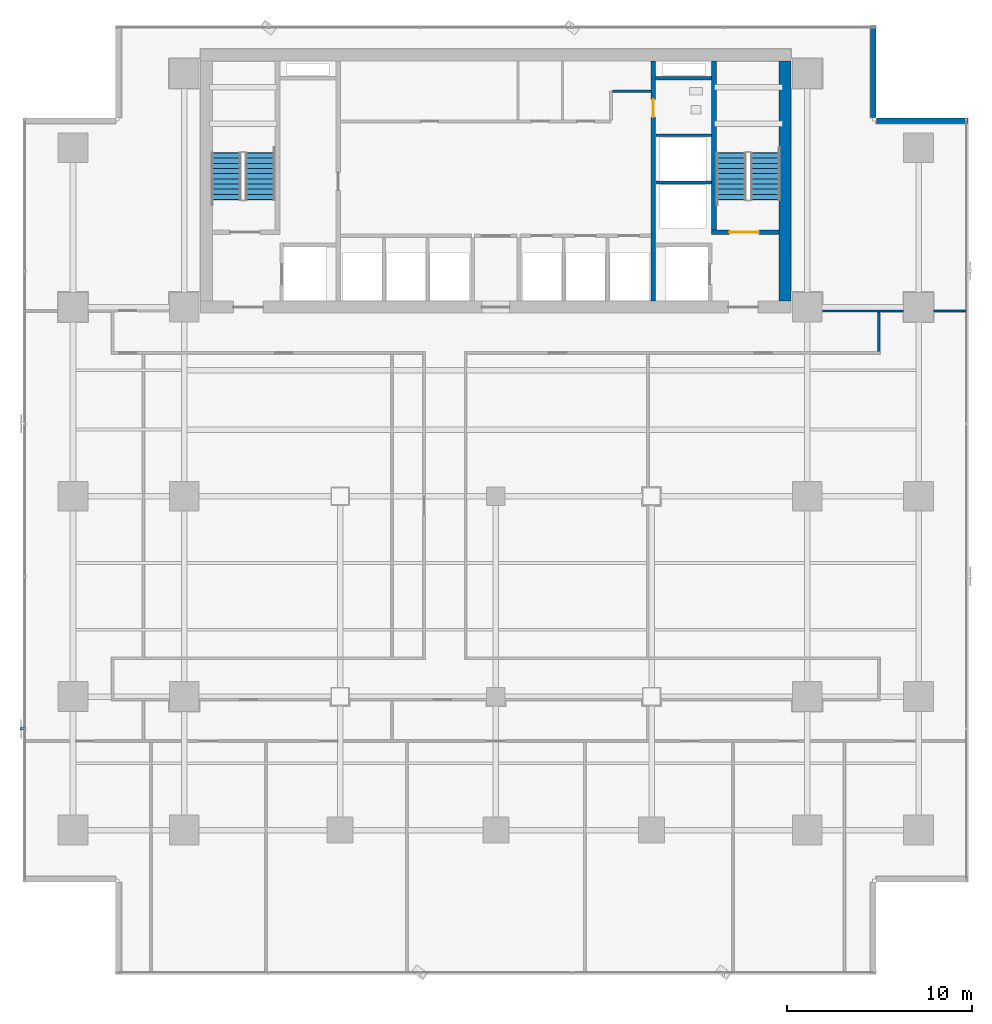
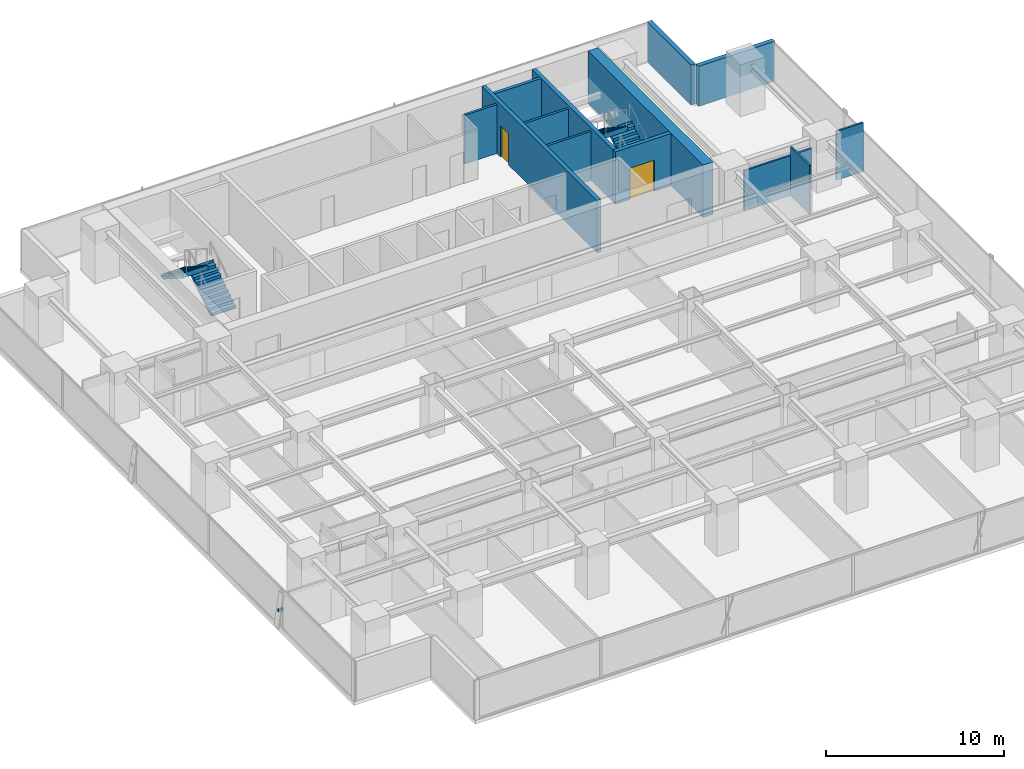
# One storey, part 30 of 37: 13 walls, 4 stair flights, 2 doors, 1 discrete accessory, 2 openings, 2 elements without a shape of their own.
"""IFC4 building model written with IfcOpenShell, lengths in metres."""

from ifc_helpers import new_model, si_unit, direction, frame, frame_2d, origin, origin_2d, place, context, subcontext, project, spatial, polyline, rectangle, outline, extrude, source, transform, mapped, material, layer, layer_set, material_profile, profile_set, type_object, element, fill, aggregate, save


model = new_model("IFC4")

# Units and contexts
model_context = context("Model", 3, precision=1e-05, world=origin(), true_north=direction((0.0, 1.0)))
body_context = subcontext(model_context, "Body", "Model", "MODEL_VIEW")
ifc_project = project(units=[si_unit("LENGTHUNIT", "METRE"), si_unit("AREAUNIT", "SQUARE_METRE"), si_unit("VOLUMEUNIT", "CUBIC_METRE"), si_unit("PLANEANGLEUNIT", "RADIAN"), si_unit("MASSUNIT", "GRAM", prefix="KILO")], contexts=[model_context])

# Site, building, storey
site_placement = place(None, origin())
site = spatial("IfcSite", under=ifc_project, at=site_placement, CompositionType="ELEMENT")
building_placement = place(site_placement, origin())
building = spatial("IfcBuilding", under=site, at=building_placement, Name="Sumidabori Civic Tower", CompositionType="ELEMENT")
storey_placement = place(building_placement, frame((0.0, 0.0, 81.199951171875)))
storey = spatial("IfcBuildingStorey", under=building, at=storey_placement, Name="L20", CompositionType="ELEMENT", Elevation=81.199951171875)

# Walls
ifc_material_1 = material(Name="Concrete C50/60", Category="concrete")
ifc_layer_1 = layer(ifc_material_1, 0.199951171875, Name="Concrete C50/60")
ifc_layer_set_1 = layer_set([ifc_layer_1], Name="Concrete C50/60")
wall_type_1 = type_object("IfcWallType", Name="WL-SHAFT-200", PredefinedType="SHEAR", material=ifc_layer_set_1)
shared_shape_1 = source(origin(), body_context, "Body", "SweptSolid", [
    extrude(rectangle(XDim=3.02001953125, YDim=0.199951171875, at=frame_2d((1.510009765625, 0.0))), origin(), (0.0, 0.0, 1.0), 3.60009765625),
])
wall_1_placement = place(storey_placement, frame((8.625, 22.550048828125, 0.0), z_axis=(0.0, 0.0, 1.0), x_axis=(1.0, 0.0, 0.0)))
element("IfcWall", 1, at=wall_1_placement, inside=storey, type_object=wall_type_1, Name="Core Shear Wall L20 RIS2-S", PredefinedType="SHEAR", context=body_context, shape_type="MappedRepresentation", body=[
    mapped(shared_shape_1, transform((0.0, 0.0, 0.0), x_axis=(1.0, 0.0, 0.0), y_axis=(0.0, 1.0, 0.0), z_axis=(0.0, 0.0, 1.0), scale=1.0)),
])
ifc_material_2 = material(Name="Concrete C60/75", Category="concrete")
ifc_layer_2 = layer(ifc_material_2, 0.64990234375, Name="Concrete C60/75")
ifc_layer_set_2 = layer_set([ifc_layer_2], Name="Concrete C60/75")
wall_type_2 = type_object("IfcWallType", Name="WL-CORE-650", PredefinedType="SHEAR", material=ifc_layer_set_2)
shared_shape_2 = source(origin(), body_context, "Body", "SweptSolid", [
    extrude(rectangle(XDim=12.9501953125, YDim=0.64990234375, at=frame_2d((6.47509765625, 0.0))), origin(), (0.0, 0.0, 1.0), 3.60009765625),
])
wall_2_placement = place(storey_placement, frame((15.60009765625, 10.52490234375, 0.0), z_axis=(0.0, 0.0, 1.0), x_axis=(0.0, 1.0, 0.0)))
element("IfcWall", 2, at=wall_2_placement, inside=storey, type_object=wall_type_2, Name="Core Shear Wall L20 E", PredefinedType="SHEAR", context=body_context, shape_type="MappedRepresentation", body=[
    mapped(shared_shape_2, transform((0.0, 0.0, 0.0), x_axis=(1.0, 0.0, 0.0), y_axis=(0.0, 1.0, 0.0), z_axis=(0.0, 0.0, 1.0), scale=1.0)),
])

# Wall, opening, door
ifc_layer_3 = layer(ifc_material_1, 0.25, Name="Concrete C50/60")
ifc_layer_set_3 = layer_set([ifc_layer_3], Name="Concrete C50/60")
wall_type_3 = type_object("IfcWallType", Name="WL-SHAFT-250", PredefinedType="SHEAR", material=ifc_layer_set_3)
shared_shape_3 = source(origin(), body_context, "Body", "SweptSolid", [
    extrude(rectangle(XDim=12.9501953125, YDim=0.25, at=frame_2d((6.47509765625, 0.0))), origin(), (0.0, 0.0, 1.0), 3.60009765625),
])
wall_3_placement = place(storey_placement, frame((8.5, 10.52490234375, 0.0), z_axis=(0.0, 0.0, 1.0), x_axis=(0.0, 1.0, 0.0)))
wall_3 = element("IfcWall", 3, at=wall_3_placement, inside=storey, type_object=wall_type_3, Name="Core Shear Wall L20 WEB-E", PredefinedType="SHEAR", context=body_context, shape_type="MappedRepresentation", body=[
    mapped(shared_shape_3, transform((0.0, 0.0, 0.0), x_axis=(1.0, 0.0, 0.0), y_axis=(0.0, 1.0, 0.0), z_axis=(0.0, 0.0, 1.0), scale=1.0)),
])
opening_1_placement = place(wall_3_placement, frame((9.925048828125, 0.0, 0.0)))
opening_1 = element("IfcOpeningElement", 4, at=opening_1_placement, cuts=wall_3, Name="Opening DR-2", PredefinedType="OPENING", context=body_context, shape_type="SweptSolid", body=[
    extrude(rectangle(XDim=0.949951171875, YDim=2.14990234375, at=frame_2d((0.47509765625, 1.074951171875))), frame((0.0, 0.136962890625, 0.0), z_axis=(0.0, -1.0, 0.0), x_axis=(1.0, 0.0, 0.0)), (0.0, 0.0, 1.0), 0.27392578125),
])
ifc_material_3 = material(Name="Japanese Hinoki Timber", Category="wood")
door_type_1 = type_object("IfcDoorType", Name="DR-INT-950", OperationType="NOTDEFINED", PredefinedType="DOOR", material=ifc_material_3)
shared_shape_4 = source(origin(), body_context, "Body", "SweptSolid", [
    extrude(rectangle(XDim=0.949951171875, YDim=2.14990234375, at=frame_2d((0.47509765625, 1.074951171875))), frame((0.0, 0.02490234375, 0.0), z_axis=(0.0, -1.0, 0.0), x_axis=(1.0, 0.0, 0.0)), (0.0, 0.0, 1.0), 0.050048828125),
])
door_1_placement = place(opening_1_placement, origin())
door_1 = element("IfcDoor", 5, at=door_1_placement, inside=storey, type_object=door_type_1, Name="Door DR:L20:WC-ACC", OperationType="SINGLE_SWING_RIGHT", OverallHeight=2.14990234375, OverallWidth=0.949951171875, PredefinedType="DOOR", context=body_context, shape_type="MappedRepresentation", body=[
    mapped(shared_shape_4, transform((0.0, 0.0, 0.0), x_axis=(1.0, 0.0, 0.0), y_axis=(0.0, 1.0, 0.0), z_axis=(0.0, 0.0, 1.0), scale=1.0)),
])
fill(opening_1, door_1)

shared_shape_5 = source(origin(), body_context, "Body", "SweptSolid", [
    extrude(rectangle(XDim=3.6298828125, YDim=0.25, at=frame_2d((1.81494140625, 0.0))), origin(), (0.0, 0.0, 1.0), 3.60009765625),
])
wall_4_placement = place(storey_placement, frame((11.64501953125, 14.25, 0.0), z_axis=(0.0, 0.0, 1.0), x_axis=(1.0, 0.0, 0.0)))
wall_4 = element("IfcWall", 6, at=wall_4_placement, inside=storey, type_object=wall_type_3, Name="Core Shear Wall L20 ST2-S", PredefinedType="SHEAR", context=body_context, shape_type="MappedRepresentation", body=[
    mapped(shared_shape_5, transform((0.0, 0.0, 0.0), x_axis=(1.0, 0.0, 0.0), y_axis=(0.0, 1.0, 0.0), z_axis=(0.0, 0.0, 1.0), scale=1.0)),
])
opening_2_placement = place(wall_4_placement, frame((0.949951171875, 0.0, 0.0)))
opening_2 = element("IfcOpeningElement", 7, at=opening_2_placement, cuts=wall_4, Name="Opening DR-FD4", PredefinedType="OPENING", context=body_context, shape_type="SweptSolid", body=[
    extrude(rectangle(XDim=1.60009765625, YDim=2.14990234375, at=frame_2d((0.800048828125, 1.074951171875))), frame((0.0, 0.136962890625, 0.0), z_axis=(0.0, -1.0, 0.0), x_axis=(1.0, 0.0, 0.0)), (0.0, 0.0, 1.0), 0.27392578125),
])
ifc_material_4 = material(Name="Steel SN490", Category="steel")
door_type_2 = type_object("IfcDoorType", Name="DR-FD4", OperationType="DOUBLE_DOOR_SINGLE_SWING", PredefinedType="DOOR", material=ifc_material_4)
shared_shape_6 = source(origin(), body_context, "Body", "SweptSolid", [
    extrude(rectangle(XDim=1.60009765625, YDim=2.14990234375, at=frame_2d((0.800048828125, 1.074951171875))), frame((0.0, 0.02490234375, 0.0), z_axis=(0.0, -1.0, 0.0), x_axis=(1.0, 0.0, 0.0)), (0.0, 0.0, 1.0), 0.050048828125),
])
door_2_placement = place(opening_2_placement, origin())
door_2 = element("IfcDoor", 8, at=door_2_placement, inside=storey, type_object=door_type_2, Name="Door DR:L20:ST2", OperationType="DOUBLE_DOOR_SINGLE_SWING", OverallHeight=2.14990234375, OverallWidth=1.60009765625, PredefinedType="DOOR", context=body_context, shape_type="MappedRepresentation", body=[
    mapped(shared_shape_6, transform((0.0, 0.0, 0.0), x_axis=(1.0, 0.0, 0.0), y_axis=(0.0, 1.0, 0.0), z_axis=(0.0, 0.0, 1.0), scale=1.0)),
])
fill(opening_2, door_2)

# Walls
shared_shape_7 = source(origin(), body_context, "Body", "SweptSolid", [
    extrude(rectangle(XDim=9.10009765625, YDim=0.25, at=frame_2d((4.550048828125, 0.0))), origin(), (0.0, 0.0, 1.0), 3.60009765625),
])
wall_5_placement = place(storey_placement, frame((11.77001953125, 14.375, 0.0), z_axis=(0.0, 0.0, 1.0), x_axis=(0.0, 1.0, 0.0)))
element("IfcWall", 9, at=wall_5_placement, inside=storey, type_object=wall_type_3, Name="Core Shear Wall L20 ST2-W", PredefinedType="SHEAR", context=body_context, shape_type="MappedRepresentation", body=[
    mapped(shared_shape_7, transform((0.0, 0.0, 0.0), x_axis=(1.0, 0.0, 0.0), y_axis=(0.0, 1.0, 0.0), z_axis=(0.0, 0.0, 1.0), scale=1.0)),
])
ifc_material_5 = material(Name="Precast concrete C40/50", Category="concrete")
ifc_layer_4 = layer(ifc_material_5, 0.300048828125, Name="Precast concrete C40/50")
ifc_layer_set_4 = layer_set([ifc_layer_4], Name="Precast concrete C40/50")
wall_type_4 = type_object("IfcWallType", Name="WL-EXT-POD300", PredefinedType="STANDARD", material=ifc_layer_set_4)
shared_shape_8 = source(origin(), body_context, "Body", "SweptSolid", [
    extrude(rectangle(XDim=4.9599609375, YDim=0.300048828125, at=frame_2d((2.47998046875, 0.0))), origin(), (0.0, 0.0, 1.0), 2.739990234375),
])
for number, where, z_axis, x_axis, name in (
    (10, (25.47998046875, 20.25, 0.0), (0.0, 0.0, 1.0), (-1.0, 0.0, 0.0), "Notched Corner Spandrel Band L20-05"),
    (11, (20.35009765625, 20.419921875, 0.0), (0.0, 0.0, 1.0), (0.0, 1.0, 0.0), "Notched Corner Spandrel Band L20-06"),
):
    element("IfcWall", number, at=place(storey_placement, frame(where, z_axis=z_axis, x_axis=x_axis)), inside=storey, type_object=wall_type_4, Name=name, PredefinedType="STANDARD", context=body_context, shape_type="MappedRepresentation", body=[
        mapped(shared_shape_8, transform((0.0, 0.0, 0.0), x_axis=(1.0, 0.0, 0.0), y_axis=(0.0, 1.0, 0.0), z_axis=(0.0, 0.0, 1.0), scale=1.0)),
    ])
ifc_material_6 = material(Name="Gypsum Plasterboard Acoustic Partition")
ifc_layer_5 = layer(ifc_material_6, 0.14990234375, Name="Gypsum Plasterboard Acoustic Partition")
ifc_layer_set_5 = layer_set([ifc_layer_5], Name="Gypsum Plasterboard Acoustic Partition")
wall_type_5 = type_object("IfcWallType", Name="WL-PART-150", PredefinedType="PARTITIONING", material=ifc_layer_set_5)
shared_shape_9 = source(origin(), body_context, "Body", "SweptSolid", [
    extrude(rectangle(XDim=3.010009765625, YDim=0.14990234375, at=frame_2d((1.5048828125, 0.0))), origin(), (0.0, 0.0, 1.0), 3.360107421875),
])
for number, where, z_axis, x_axis, name in (
    (12, (8.6298828125, 16.919921875, 0.0), (0.0, 0.0, 1.0), (1.0, 0.0, 0.0), "Interior Partition WL:L20:DIV-OBS1"),
    (13, (8.6298828125, 19.469970703125, 0.0), (0.0, 0.0, 1.0), (1.0, 0.0, 0.0), "Interior Partition WL:L20:DIV-OBS2"),
):
    element("IfcWall", number, at=place(storey_placement, frame(where, z_axis=z_axis, x_axis=x_axis)), inside=storey, type_object=wall_type_5, Name=name, PredefinedType="PARTITIONING", context=body_context, shape_type="MappedRepresentation", body=[
        mapped(shared_shape_9, transform((0.0, 0.0, 0.0), x_axis=(1.0, 0.0, 0.0), y_axis=(0.0, 1.0, 0.0), z_axis=(0.0, 0.0, 1.0), scale=1.0)),
    ])
shared_shape_10 = source(origin(), body_context, "Body", "SweptSolid", [
    extrude(rectangle(XDim=2.070068359375, YDim=0.14990234375, at=frame_2d((1.03515625, 0.0))), origin(), (0.0, 0.0, 1.0), 3.360107421875),
])
wall_6_placement = place(storey_placement, frame((6.300048828125, 21.85009765625, 0.0), z_axis=(0.0, 0.0, 1.0), x_axis=(1.0, 0.0, 0.0)))
element("IfcWall", 14, at=wall_6_placement, inside=storey, type_object=wall_type_5, Name="Interior Partition WL:L20:CBAND-ME2", PredefinedType="PARTITIONING", context=body_context, shape_type="MappedRepresentation", body=[
    mapped(shared_shape_10, transform((0.0, 0.0, 0.0), x_axis=(1.0, 0.0, 0.0), y_axis=(0.0, 1.0, 0.0), z_axis=(0.0, 0.0, 1.0), scale=1.0)),
])
ifc_layer_6 = layer(ifc_material_6, 0.1201171875, Name="Gypsum Plasterboard Acoustic Partition")
ifc_layer_set_6 = layer_set([ifc_layer_6], Name="Gypsum Plasterboard Acoustic Partition")
wall_type_6 = type_object("IfcWallType", Name="WL-PART-120", PredefinedType="PARTITIONING", material=ifc_layer_set_6)
shared_shape_11 = source(origin(), body_context, "Body", "SweptSolid", [
    extrude(rectangle(XDim=1.739990234375, YDim=0.1201171875, at=frame_2d((0.8701171875, 0.0))), origin(), (0.0, 0.0, 1.0), 3.360107421875),
])
wall_7_placement = place(storey_placement, frame((23.610107421875, 10.0, 0.0), z_axis=(0.0, 0.0, 1.0), x_axis=(1.0, 0.0, 0.0)))
element("IfcWall", 15, at=wall_7_placement, inside=storey, type_object=wall_type_6, Name="Interior Partition WL:L20:FLK-NE-2", PredefinedType="PARTITIONING", context=body_context, shape_type="MappedRepresentation", body=[
    mapped(shared_shape_11, transform((0.0, 0.0, 0.0), x_axis=(1.0, 0.0, 0.0), y_axis=(0.0, 1.0, 0.0), z_axis=(0.0, 0.0, 1.0), scale=1.0)),
])
shared_shape_12 = source(origin(), body_context, "Body", "SweptSolid", [
    extrude(rectangle(XDim=4.3798828125, YDim=0.1201171875, at=frame_2d((2.18994140625, 0.0))), origin(), (0.0, 0.0, 1.0), 2.7451171875),
])
wall_8_placement = place(storey_placement, frame((17.610107421875, 10.0, 0.0), z_axis=(0.0, 0.0, 1.0), x_axis=(1.0, 0.0, 0.0)))
element("IfcWall", 16, at=wall_8_placement, inside=storey, type_object=wall_type_6, Name="Interior Partition WL:L20:FLK-NE-1", PredefinedType="PARTITIONING", context=body_context, shape_type="MappedRepresentation", body=[
    mapped(shared_shape_12, transform((0.0, 0.0, 0.0), x_axis=(1.0, 0.0, 0.0), y_axis=(0.0, 1.0, 0.0), z_axis=(0.0, 0.0, 1.0), scale=1.0)),
])
shared_shape_13 = source(origin(), body_context, "Body", "SweptSolid", [
    extrude(rectangle(XDim=2.130126953125, YDim=0.1201171875, at=frame_2d((1.06494140625, 0.0))), origin(), (0.0, 0.0, 1.0), 3.360107421875),
])
wall_9_placement = place(storey_placement, frame((20.659912109375, 7.804931640625, 0.0), z_axis=(0.0, 0.0, 1.0), x_axis=(0.0, 1.0, 0.0)))
element("IfcWall", 17, at=wall_9_placement, inside=storey, type_object=wall_type_6, Name="Interior Partition WL:L20:CORR-VNE", PredefinedType="PARTITIONING", context=body_context, shape_type="MappedRepresentation", body=[
    mapped(shared_shape_13, transform((0.0, 0.0, 0.0), x_axis=(1.0, 0.0, 0.0), y_axis=(0.0, 1.0, 0.0), z_axis=(0.0, 0.0, 1.0), scale=1.0)),
])

# Stair, stair flights
ifc_material_7 = material(Name="Concrete C40/50", Category="concrete")
stair_type = type_object("IfcStairType", Name="ST-CORE-1600", PredefinedType="HALF_TURN_STAIR", material=ifc_material_7)
stair_1_placement = place(storey_placement, origin())
stair_1 = element("IfcStair", 18, at=stair_1_placement, inside=storey, type_object=stair_type, Name="L20 ST-1", PredefinedType="HALF_TURN_STAIR")
stair_flight_type = type_object("IfcStairFlightType", Name="SF-CORE-1600", PredefinedType="STRAIGHT", material=ifc_material_7)
shared_shape_14 = source(origin(), body_context, "Body", "SweptSolid", [
    extrude(outline(polyline([(-0.02490234375, 0.0), (-0.02490234375, 0.0400390625), (0.0, 0.0400390625), (0.0, 0.179931640625), (0.280029296875, 0.179931640625), (0.280029296875, 0.360107421875), (0.56005859375, 0.360107421875), (0.56005859375, 0.5400390625), (0.840087890625, 0.5400390625), (0.840087890625, 0.719970703125), (1.1201171875, 0.719970703125), (1.1201171875, 0.89990234375), (1.39990234375, 0.89990234375), (1.39990234375, 1.080078125), (1.679931640625, 1.080078125), (1.679931640625, 1.260009765625), (1.9599609375, 1.260009765625), (1.9599609375, 1.43994140625), (2.239990234375, 1.43994140625), (2.239990234375, 1.6201171875), (2.52001953125, 1.6201171875), (2.52001953125, 1.800048828125), (2.544921875, 1.800048828125), (2.544921875, 1.650146484375), (2.52001953125, 1.44189453125), (0.277099609375, 0.0), (-0.02490234375, 0.0)])), frame((0.0, 0.800048828125, 0.0), z_axis=(0.0, -1.0, 0.0), x_axis=(1.0, 0.0, 0.0)), (0.0, 0.0, 1.0), 1.60009765625),
])
stair_flight_1_placement = place(storey_placement, frame((-12.699951171875, 16.0, 0.0), z_axis=(0.0, 0.0, 1.0), x_axis=(0.0, 1.0, 0.0)))
stair_flight_1 = element("IfcStairFlight", 19, at=stair_flight_1_placement, type_object=stair_flight_type, Name="ST-1 flight 1", NumberOfRisers=10, NumberOfTreads=9, PredefinedType="STRAIGHT", RiserHeight=0.18, TreadLength=0.28, context=body_context, shape_type="MappedRepresentation", body=[
    mapped(shared_shape_14, transform((0.0, 0.0, 0.0), x_axis=(1.0, 0.0, 0.0), y_axis=(0.0, 1.0, 0.0), z_axis=(0.0, 0.0, 1.0), scale=1.0)),
])
stair_flight_2_placement = place(storey_placement, frame((-14.5400390625, 18.52001953125, 1.800048828125), z_axis=(0.0, 0.0, 1.0), x_axis=(0.0, -1.0, 0.0)))
stair_flight_2 = element("IfcStairFlight", 20, at=stair_flight_2_placement, type_object=stair_flight_type, Name="ST-1 flight 2", NumberOfRisers=10, NumberOfTreads=9, PredefinedType="STRAIGHT", RiserHeight=0.18, TreadLength=0.28, context=body_context, shape_type="MappedRepresentation", body=[
    mapped(shared_shape_14, transform((0.0, 0.0, 0.0), x_axis=(1.0, 0.0, 0.0), y_axis=(0.0, 1.0, 0.0), z_axis=(0.0, 0.0, 1.0), scale=1.0)),
])
aggregate(stair_1, [stair_flight_1, stair_flight_2])

stair_2_placement = place(storey_placement, origin())
stair_2 = element("IfcStair", 21, at=stair_2_placement, inside=storey, type_object=stair_type, Name="L20 ST-2", PredefinedType="HALF_TURN_STAIR")
stair_flight_3_placement = place(storey_placement, frame((14.5400390625, 16.0, 0.0), z_axis=(0.0, 0.0, 1.0), x_axis=(0.0, 1.0, 0.0)))
stair_flight_3 = element("IfcStairFlight", 22, at=stair_flight_3_placement, type_object=stair_flight_type, Name="ST-2 flight 1", NumberOfRisers=10, NumberOfTreads=9, PredefinedType="STRAIGHT", RiserHeight=0.18, TreadLength=0.28, context=body_context, shape_type="MappedRepresentation", body=[
    mapped(shared_shape_14, transform((0.0, 0.0, 0.0), x_axis=(1.0, 0.0, 0.0), y_axis=(0.0, 1.0, 0.0), z_axis=(0.0, 0.0, 1.0), scale=1.0)),
])
stair_flight_4_placement = place(storey_placement, frame((12.699951171875, 18.52001953125, 1.800048828125), z_axis=(0.0, 0.0, 1.0), x_axis=(0.0, -1.0, 0.0)))
stair_flight_4 = element("IfcStairFlight", 23, at=stair_flight_4_placement, type_object=stair_flight_type, Name="ST-2 flight 2", NumberOfRisers=10, NumberOfTreads=9, PredefinedType="STRAIGHT", RiserHeight=0.18, TreadLength=0.28, context=body_context, shape_type="MappedRepresentation", body=[
    mapped(shared_shape_14, transform((0.0, 0.0, 0.0), x_axis=(1.0, 0.0, 0.0), y_axis=(0.0, 1.0, 0.0), z_axis=(0.0, 0.0, 1.0), scale=1.0)),
])
aggregate(stair_2, [stair_flight_3, stair_flight_4])

# Discrete accessory
ifc_material_8 = material(Name="Stainless Steel Hairline Finish", Category="steel")
ifc_material_profile = material_profile(ifc_material_8, rectangle(XDim=0.1201171875, YDim=0.179931640625, at=origin_2d()), Name="STEEL BRACKET 180x120")
ifc_profile_set = profile_set([ifc_material_profile], Name="Stainless Steel Hairline Finish")
discrete_accessory_type = type_object("IfcDiscreteAccessoryType", Name="AC-BRK-180", PredefinedType="BRACKET", material=ifc_profile_set)
shared_shape_15 = source(origin(), body_context, "Body", "SweptSolid", [
    extrude(rectangle(XDim=0.1201171875, YDim=0.179931640625, at=origin_2d()), origin(), (0.0, 0.0, 1.0), 0.329833984375),
])
discrete_accessory_placement = place(storey_placement, frame((-25.330078125, -12.5419921875, 1.360107421875), z_axis=(-1.0, 0.0, 0.0), x_axis=(0.0, -1.0, 0.0)))
element("IfcDiscreteAccessory", 24, at=discrete_accessory_placement, inside=storey, type_object=discrete_accessory_type, Name="Bronze Fin Fixing Bracket L20-04", PredefinedType="BRACKET", context=body_context, shape_type="MappedRepresentation", body=[
    mapped(shared_shape_15, transform((0.0, 0.0, 0.0), x_axis=(1.0, 0.0, 0.0), y_axis=(0.0, 1.0, 0.0), z_axis=(0.0, 0.0, 1.0), scale=1.0)),
])

save(model, "model.ifc")
